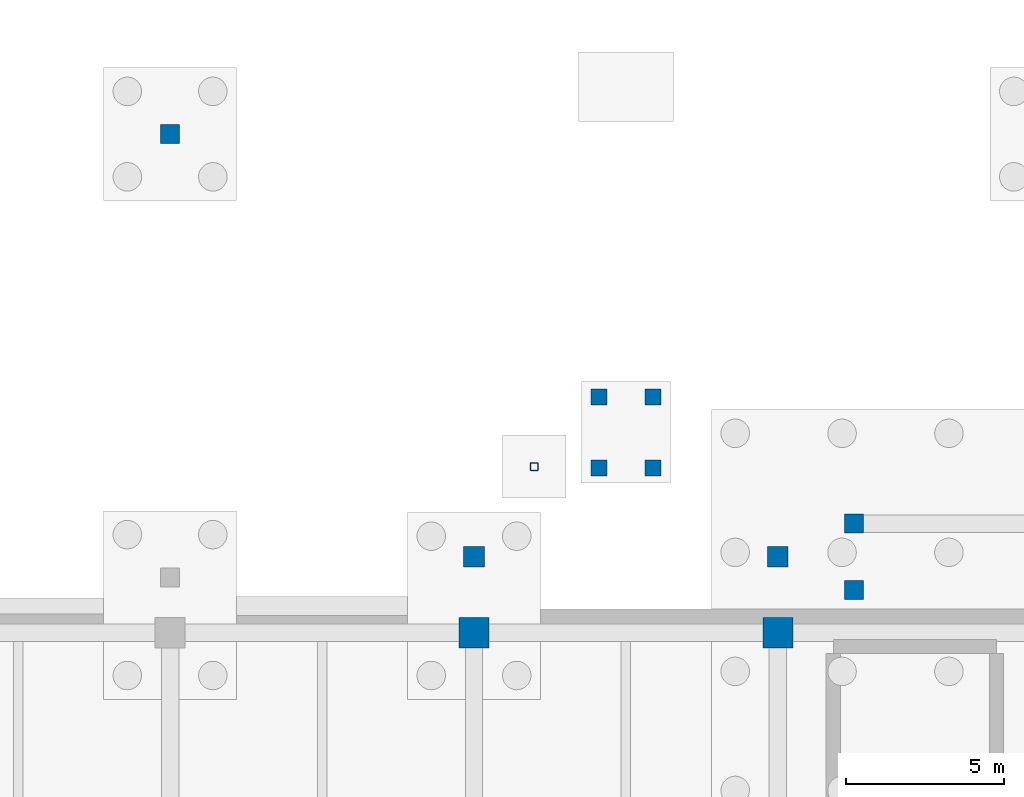
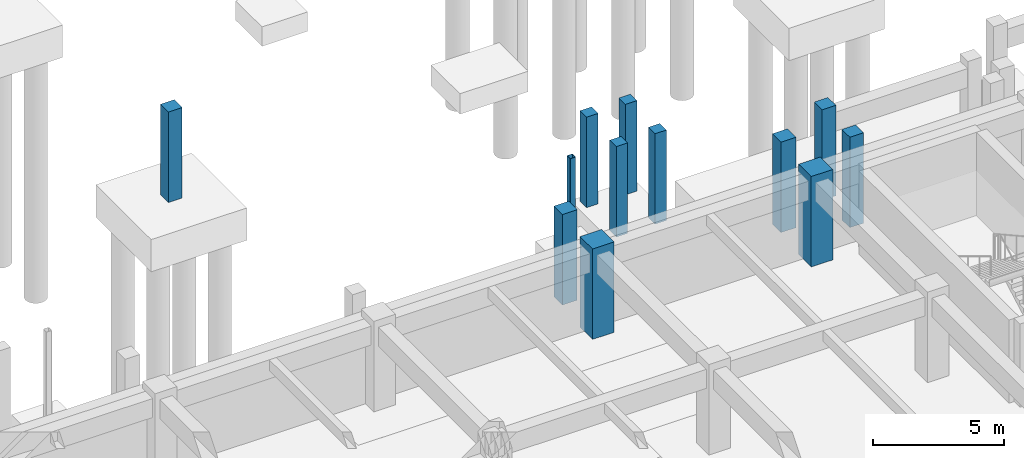
# One storey, part 8 of 39: 12 columns.
"""IFC4 building model written with IfcOpenShell, lengths in metres."""

from ifc_helpers import new_model, si_unit, direction, frame, origin, origin_2d, place, context, subcontext, project, spatial, rectangle, hollow_rectangle, extrude, material, material_profile, profile_set, type_object, element, save


model = new_model("IFC4")

# Units and contexts
model_context = context("Model", 3, precision=1e-05, world=origin(), true_north=direction((0.0, 1.0)))
body_context = subcontext(model_context, "Body", "Model", "MODEL_VIEW")
ifc_project = project(units=[si_unit("LENGTHUNIT", "METRE"), si_unit("AREAUNIT", "SQUARE_METRE"), si_unit("VOLUMEUNIT", "CUBIC_METRE"), si_unit("PLANEANGLEUNIT", "RADIAN"), si_unit("MASSUNIT", "GRAM", prefix="KILO")], contexts=[model_context])

# Site, building, storey
site_placement = place(None, origin())
site = spatial("IfcSite", under=ifc_project, at=site_placement, CompositionType="ELEMENT")
building_placement = place(site_placement, origin())
building = spatial("IfcBuilding", under=site, at=building_placement, Name="Nakhvara Creek Congress Hotel", CompositionType="ELEMENT")
storey_placement = place(building_placement, frame((0.0, 0.0, -8.39990234375)))
storey = spatial("IfcBuildingStorey", under=building, at=storey_placement, Name="B2", CompositionType="ELEMENT", Elevation=-8.39990234375)

# Columns
ifc_material_1 = material(Name="Concrete C50/60", Category="concrete")
ifc_material_profile_1 = material_profile(ifc_material_1, rectangle(XDim=0.5, YDim=0.5, at=origin_2d()), Name="RC-COL 500x500", Category="LoadBearing")
ifc_profile_set_1 = profile_set([ifc_material_profile_1], Name="Concrete C50/60")
column_type_1 = type_object("IfcColumnType", Name="COL-RC-500", PredefinedType="COLUMN", material=ifc_profile_set_1)
for number, where, z_axis, x_axis, name in (
    (1, (109.550048828125, 100.449951171875, 0.0), (0.0, 0.0, 1.0), (1.0, 0.0, 0.0), "Forecourt Stair Sub-Pier ST22-B2-05"),
    (2, (109.550048828125, 102.699951171875, 0.0), (0.0, 0.0, 1.0), (1.0, 0.0, 0.0), "Forecourt Stair Sub-Pier ST22-B2-06"),
    (3, (111.25, 100.449951171875, 0.0), (0.0, 0.0, 1.0), (1.0, 0.0, 0.0), "Forecourt Stair Sub-Pier ST22-B2-07"),
    (4, (111.25, 102.699951171875, 0.0), (0.0, 0.0, 1.0), (1.0, 0.0, 0.0), "Forecourt Stair Sub-Pier ST22-B2-08"),
):
    element("IfcColumn", number, at=place(storey_placement, frame(where, z_axis=z_axis, x_axis=x_axis)), inside=storey, type_object=column_type_1, Name=name, PredefinedType="COLUMN", context=body_context, shape_type="SweptSolid", body=[
        extrude(rectangle(XDim=0.5, YDim=0.5, at=origin_2d()), origin(), (0.0, 0.0, 1.0), 4.199951171875),
    ])
ifc_material_profile_2 = material_profile(ifc_material_1, rectangle(XDim=0.60009765625, YDim=0.60009765625, at=origin_2d()), Name="RC-COL 600x600", Category="LoadBearing")
ifc_profile_set_2 = profile_set([ifc_material_profile_2], Name="Concrete C50/60")
column_type_2 = type_object("IfcColumnType", Name="COL-RC-600", PredefinedType="COLUMN", material=ifc_profile_set_2)
for number, where, z_axis, x_axis, name in (
    (5, (96.0, 111.0, 0.0), (0.0, 0.0, 1.0), (1.0, 0.0, 0.0), "Column C08-B2-0251"),
    (6, (117.60009765625, 96.60009765625, 0.0), (0.0, 0.0, 1.0), (1.0, 0.0, 0.0), "Column C08-B2-0259"),
    (7, (117.60009765625, 98.699951171875, 0.0), (0.0, 0.0, 1.0), (1.0, 0.0, 0.0), "Column C08-B2-0261"),
):
    element("IfcColumn", number, at=place(storey_placement, frame(where, z_axis=z_axis, x_axis=x_axis)), inside=storey, type_object=column_type_2, Name=name, PredefinedType="COLUMN", context=body_context, shape_type="SweptSolid", body=[
        extrude(rectangle(XDim=0.60009765625, YDim=0.60009765625, at=origin_2d()), origin(), (0.0, 0.0, 1.0), 4.199951171875),
    ])
ifc_material_profile_3 = material_profile(ifc_material_1, rectangle(XDim=0.64990234375, YDim=0.64990234375, at=origin_2d()), Name="RC-COL 650x650", Category="LoadBearing")
ifc_profile_set_3 = profile_set([ifc_material_profile_3], Name="Concrete C50/60")
column_type_3 = type_object("IfcColumnType", Name="COL-RC-650", PredefinedType="COLUMN", material=ifc_profile_set_3)
for number, where, z_axis, x_axis, name in (
    (8, (115.199951171875, 97.64990234375, 0.0), (0.0, 0.0, 1.0), (1.0, 0.0, 0.0), "Column C07-B2-0177"),
    (9, (105.60009765625, 97.64990234375, 0.0), (0.0, 0.0, 1.0), (1.0, 0.0, 0.0), "Column C07-B2-0188"),
):
    element("IfcColumn", number, at=place(storey_placement, frame(where, z_axis=z_axis, x_axis=x_axis)), inside=storey, type_object=column_type_3, Name=name, PredefinedType="COLUMN", context=body_context, shape_type="SweptSolid", body=[
        extrude(rectangle(XDim=0.64990234375, YDim=0.64990234375, at=origin_2d()), origin(), (0.0, 0.0, 1.0), 4.199951171875),
    ])
ifc_material_profile_4 = material_profile(ifc_material_1, rectangle(XDim=0.949951171875, YDim=0.949951171875, at=origin_2d()), Name="RC-COL 950x950", Category="LoadBearing")
ifc_profile_set_4 = profile_set([ifc_material_profile_4], Name="Concrete C50/60")
column_type_4 = type_object("IfcColumnType", Name="COL-RC-950", PredefinedType="COLUMN", material=ifc_profile_set_4)
for number, where, z_axis, x_axis, name in (
    (10, (105.60009765625, 95.25, 0.0), (0.0, 0.0, 1.0), (1.0, 0.0, 0.0), "Column C17-B2-0131"),
    (11, (115.199951171875, 95.25, 0.0), (0.0, 0.0, 1.0), (1.0, 0.0, 0.0), "Column C17-B2-0140"),
):
    element("IfcColumn", number, at=place(storey_placement, frame(where, z_axis=z_axis, x_axis=x_axis)), inside=storey, type_object=column_type_4, Name=name, PredefinedType="COLUMN", context=body_context, shape_type="SweptSolid", body=[
        extrude(rectangle(XDim=0.949951171875, YDim=0.949951171875, at=origin_2d()), origin(), (0.0, 0.0, 1.0), 4.199951171875),
    ])
ifc_material_2 = material(Name="Steel S355J2", Category="steel")
ifc_material_profile_5 = material_profile(ifc_material_2, hollow_rectangle(XDim=0.25, YDim=0.25, WallThickness=0.012451171875, InnerFilletRadius=0.012451171875, OuterFilletRadius=0.02490234375, at=origin_2d()), Name="SHS 250x250x12.5", Category="LoadBearing")
ifc_profile_set_5 = profile_set([ifc_material_profile_5], Name="Steel S355J2")
column_type_5 = type_object("IfcColumnType", Name="COL-ST-SHS250", PredefinedType="COLUMN", material=ifc_profile_set_5)
column_placement = place(storey_placement, frame((107.5, 100.5, 0.0), z_axis=(0.0, 0.0, 1.0), x_axis=(1.0, 0.0, 0.0)))
element("IfcColumn", 12, at=column_placement, inside=storey, type_object=column_type_5, Name="Plaza Steel Sub-Column B2-2", PredefinedType="COLUMN", context=body_context, shape_type="SweptSolid", body=[
    extrude(hollow_rectangle(XDim=0.25, YDim=0.25, WallThickness=0.012451171875, InnerFilletRadius=0.012451171875, OuterFilletRadius=0.02490234375, at=origin_2d()), origin(), (0.0, 0.0, 1.0), 4.199951171875),
])

save(model, "model.ifc")
